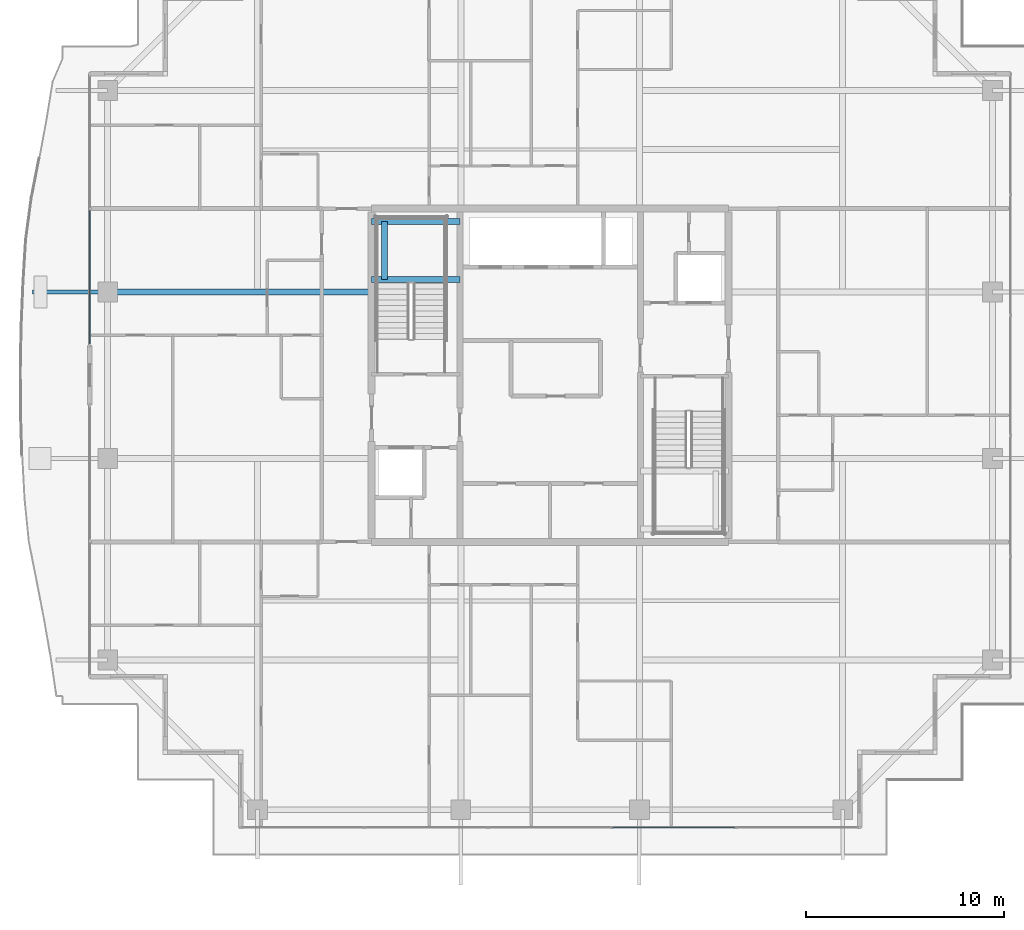
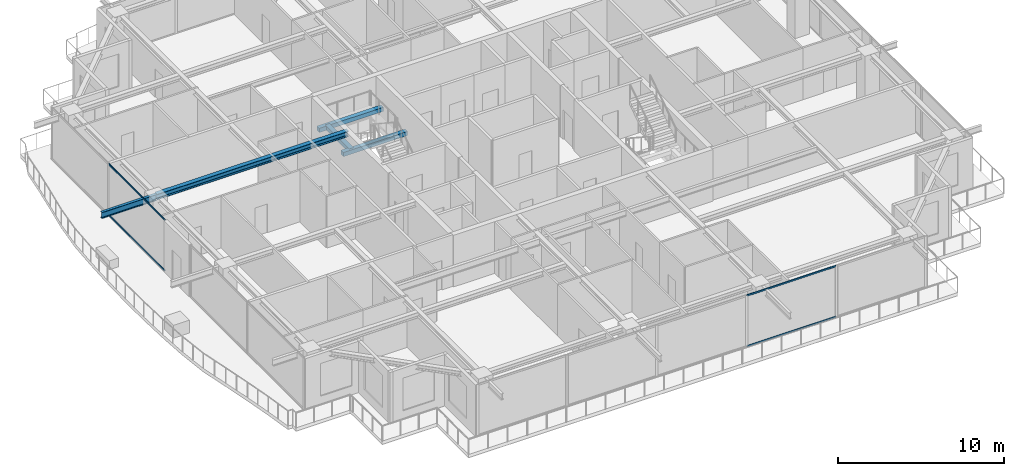
# One storey, part 10 of 37: 5 beams, 4 members, 2 elements without a shape of their own.
"""IFC4 building model written with IfcOpenShell, lengths in metres."""

from ifc_helpers import new_model, si_unit, direction, frame, origin, origin_2d, place, context, subcontext, project, spatial, rectangle, hollow_rectangle, i_section, extrude, source, transform, mapped, material, layer, layer_set, material_profile, profile_set, type_object, element, aggregate, save


model = new_model("IFC4")

# Units and contexts
model_context = context("Model", 3, precision=1e-05, world=origin(), true_north=direction((0.0, 1.0)))
body_context = subcontext(model_context, "Body", "Model", "MODEL_VIEW")
ifc_project = project(units=[si_unit("LENGTHUNIT", "METRE"), si_unit("AREAUNIT", "SQUARE_METRE"), si_unit("VOLUMEUNIT", "CUBIC_METRE"), si_unit("PLANEANGLEUNIT", "RADIAN"), si_unit("MASSUNIT", "GRAM", prefix="KILO")], contexts=[model_context])

# Site, building, storey
site_placement = place(None, origin())
site = spatial("IfcSite", under=ifc_project, at=site_placement, CompositionType="ELEMENT")
building_placement = place(site_placement, origin())
building = spatial("IfcBuilding", under=site, at=building_placement, Name="Serunith Strait Residences", CompositionType="ELEMENT")
storey_placement = place(building_placement, frame((0.0, 0.0, 317.75)))
storey = spatial("IfcBuildingStorey", under=building, at=storey_placement, Name="L79", CompositionType="ELEMENT", Elevation=317.75)

# Beams
ifc_material_1 = material(Name="Steel S355J2", Category="steel")
ifc_material_profile_1 = material_profile(ifc_material_1, i_section(OverallWidth=0.300048828125, OverallDepth=0.39990234375, WebThickness=0.013427734375, FlangeThickness=0.02392578125, FilletRadius=0.027099609375, at=origin_2d()), Name="HEB 400")
ifc_profile_set_1 = profile_set([ifc_material_profile_1], Name="Steel S355J2")
beam_type_1 = type_object("IfcBeamType", Name="BM-HEB400", PredefinedType="BEAM", material=ifc_profile_set_1)
shared_shape_1 = source(origin(), body_context, "Body", "SweptSolid", [
    extrude(i_section(OverallWidth=0.300048828125, OverallDepth=0.39990234375, WebThickness=0.013427734375, FlangeThickness=0.02392578125, FilletRadius=0.027099609375, at=origin_2d()), origin(), (0.0, 0.0, 1.0), 13.2998046875),
])
beam_1_placement = place(storey_placement, frame((23.39990234375, 29.39990234375, 3.5869140625), z_axis=(-1.0, 0.0, 0.0), x_axis=(0.0, -1.0, 0.0)))
element("IfcBeam", 1, at=beam_1_placement, inside=storey, type_object=beam_type_1, Name="L79 Primary Floor Girder TC-W3", PredefinedType="BEAM", context=body_context, shape_type="MappedRepresentation", body=[
    mapped(shared_shape_1, transform((0.0, 0.0, 0.0), scale=1.0)),
])
ifc_material_profile_2 = material_profile(ifc_material_1, i_section(OverallWidth=0.18994140625, OverallDepth=0.449951171875, WebThickness=0.009521484375, FlangeThickness=0.0146484375, FilletRadius=0.02099609375, at=origin_2d()), Name="IPE 450")
ifc_profile_set_2 = profile_set([ifc_material_profile_2], Name="Steel S355J2")
beam_type_2 = type_object("IfcBeamType", Name="BM-IPE450", PredefinedType="JOIST", material=ifc_profile_set_2)
shared_shape_2 = source(origin(), body_context, "Body", "SweptSolid", [
    extrude(i_section(OverallWidth=0.18994140625, OverallDepth=0.449951171875, WebThickness=0.009521484375, FlangeThickness=0.0146484375, FilletRadius=0.02099609375, at=origin_2d()), origin(), (0.0, 0.0, 1.0), 3.800048828125),
])
beam_2_placement = place(storey_placement, frame((10.10009765625, 29.39990234375, 3.531982421875), z_axis=(-1.0, 0.0, 0.0), x_axis=(0.0, -1.0, 0.0)))
element("IfcBeam", 2, at=beam_2_placement, inside=storey, type_object=beam_type_2, Name="L80 Cantilevered Balcony Rib TC-W3", PredefinedType="JOIST", context=body_context, shape_type="MappedRepresentation", body=[
    mapped(shared_shape_2, transform((0.0, 0.0, 0.0), scale=1.0)),
])
ifc_material_2 = material(Name="Concrete C60/75", Category="concrete")
ifc_material_profile_3 = material_profile(ifc_material_2, rectangle(XDim=0.300048828125, YDim=0.300048828125, at=origin_2d()), Name="RC 300x300")
ifc_profile_set_3 = profile_set([ifc_material_profile_3], Name="Concrete C60/75")
beam_type_3 = type_object("IfcBeamType", Name="BM-LAND-300x300", PredefinedType="BEAM", material=ifc_profile_set_3)
shared_shape_3 = source(origin(), body_context, "Body", "SweptSolid", [
    extrude(rectangle(XDim=0.300048828125, YDim=0.300048828125, at=origin_2d()), origin(), (0.0, 0.0, 1.0), 4.4501953125),
])
for number, where, z_axis, x_axis, name in (
    (3, (23.39990234375, 30.030029296875, 1.675048828125), (1.0, 0.0, 0.0), (0.0, 1.0, 0.0), "L79 ST-1 Landing Support Beam 1"),
    (4, (23.39990234375, 32.949951171875, 1.675048828125), (1.0, 0.0, 0.0), (0.0, 1.0, 0.0), "L79 ST-1 Landing Support Beam 2"),
):
    element("IfcBeam", number, at=place(storey_placement, frame(where, z_axis=z_axis, x_axis=x_axis)), inside=storey, type_object=beam_type_3, Name=name, PredefinedType="BEAM", context=body_context, shape_type="MappedRepresentation", body=[
        mapped(shared_shape_3, transform((0.0, 0.0, 0.0), scale=1.0)),
    ])
shared_shape_4 = source(origin(), body_context, "Body", "SweptSolid", [
    extrude(rectangle(XDim=0.300048828125, YDim=0.300048828125, at=origin_2d()), origin(), (0.0, 0.0, 1.0), 2.919921875),
])
beam_3_placement = place(storey_placement, frame((24.050048828125, 30.030029296875, 1.675048828125), z_axis=(0.0, 1.0, 0.0), x_axis=(-1.0, 0.0, 0.0)))
element("IfcBeam", 5, at=beam_3_placement, inside=storey, type_object=beam_type_3, Name="L79 ST-1 Landing Transverse Tie Beam", PredefinedType="BEAM", context=body_context, shape_type="MappedRepresentation", body=[
    mapped(shared_shape_4, transform((0.0, 0.0, 0.0), scale=1.0)),
])

# Curtain wall, members
ifc_material_3 = material(Name="Brushed Stainless-Silver Aluminium", Category="aluminium")
ifc_layer = layer(ifc_material_3, 0.199951171875, Name="Brushed Stainless-Silver Aluminium")
ifc_layer_set = layer_set([ifc_layer], Name="Brushed Stainless-Silver Aluminium")
curtain_wall_type = type_object("IfcCurtainWallType", Name="CW-SYS5", PredefinedType="NOTDEFINED", material=ifc_layer_set)
curtain_wall_1_placement = place(storey_placement, origin())
curtain_wall_1 = element("IfcCurtainWall", 6, at=curtain_wall_1_placement, inside=storey, type_object=curtain_wall_type, Name="L79 W Unitised Fritted Curtain Wall", PredefinedType="NOTDEFINED")
ifc_material_profile_4 = material_profile(ifc_material_3, hollow_rectangle(XDim=0.06005859375, YDim=0.1201171875, WallThickness=0.00341796875, InnerFilletRadius=0.00537109375, OuterFilletRadius=0.0087890625, at=origin_2d()), Name="ALU 120x60x3.5")
ifc_profile_set_4 = profile_set([ifc_material_profile_4], Name="Brushed Stainless-Silver Aluminium")
member_type = type_object("IfcMemberType", Name="CW-SYS5-TRAN", PredefinedType="USERDEFINED", material=ifc_profile_set_4)
shared_shape_5 = source(origin(), body_context, "Body", "SweptSolid", [
    extrude(hollow_rectangle(XDim=0.06005859375, YDim=0.1201171875, WallThickness=0.00341796875, InnerFilletRadius=0.00537109375, OuterFilletRadius=0.0087890625, at=origin_2d()), origin(), (0.0, 0.0, 1.0), 6.752685546875),
])
member_1_placement = place(storey_placement, frame((9.199951171875, 33.517578125, 0.030029296875), z_axis=(0.0, -1.0, 0.0), x_axis=(1.0, 0.0, 0.0)))
member_1 = element("IfcMember", 7, at=member_1_placement, type_object=member_type, Name="CW-5 transom 2.1", ObjectType="TRANSOM", PredefinedType="USERDEFINED", context=body_context, shape_type="MappedRepresentation", body=[
    mapped(shared_shape_5, transform((0.0, 0.0, 0.0), scale=1.0)),
])
member_2_placement = place(storey_placement, frame((9.199951171875, 33.517578125, 3.7451171875), z_axis=(0.0, -1.0, 0.0), x_axis=(1.0, 0.0, 0.0)))
member_2 = element("IfcMember", 8, at=member_2_placement, type_object=member_type, Name="CW-5 transom 2.2", ObjectType="TRANSOM", PredefinedType="USERDEFINED", context=body_context, shape_type="MappedRepresentation", body=[
    mapped(shared_shape_5, transform((0.0, 0.0, 0.0), scale=1.0)),
])
aggregate(curtain_wall_1, [member_1, member_2])

curtain_wall_2_placement = place(storey_placement, origin())
curtain_wall_2 = element("IfcCurtainWall", 9, at=curtain_wall_2_placement, inside=storey, type_object=curtain_wall_type, Name="L79 S Unitised Fritted Curtain Wall", PredefinedType="NOTDEFINED")
shared_shape_6 = source(origin(), body_context, "Body", "SweptSolid", [
    extrude(hollow_rectangle(XDim=0.06005859375, YDim=0.1201171875, WallThickness=0.00341796875, InnerFilletRadius=0.00537109375, OuterFilletRadius=0.0087890625, at=origin_2d()), origin(), (0.0, 0.0, 1.0), 6.175048828125),
])
member_3_placement = place(storey_placement, frame((35.552490234375, 2.39990234375, 0.030029296875), z_axis=(1.0, 0.0, 0.0), x_axis=(0.0, 1.0, 0.0)))
member_3 = element("IfcMember", 10, at=member_3_placement, type_object=member_type, Name="CW-5 transom 4.1", ObjectType="TRANSOM", PredefinedType="USERDEFINED", context=body_context, shape_type="MappedRepresentation", body=[
    mapped(shared_shape_6, transform((0.0, 0.0, 0.0), scale=1.0)),
])
member_4_placement = place(storey_placement, frame((35.552490234375, 2.39990234375, 3.7451171875), z_axis=(1.0, 0.0, 0.0), x_axis=(0.0, 1.0, 0.0)))
member_4 = element("IfcMember", 11, at=member_4_placement, type_object=member_type, Name="CW-5 transom 4.2", ObjectType="TRANSOM", PredefinedType="USERDEFINED", context=body_context, shape_type="MappedRepresentation", body=[
    mapped(shared_shape_6, transform((0.0, 0.0, 0.0), scale=1.0)),
])
aggregate(curtain_wall_2, [member_3, member_4])

save(model, "model.ifc")
